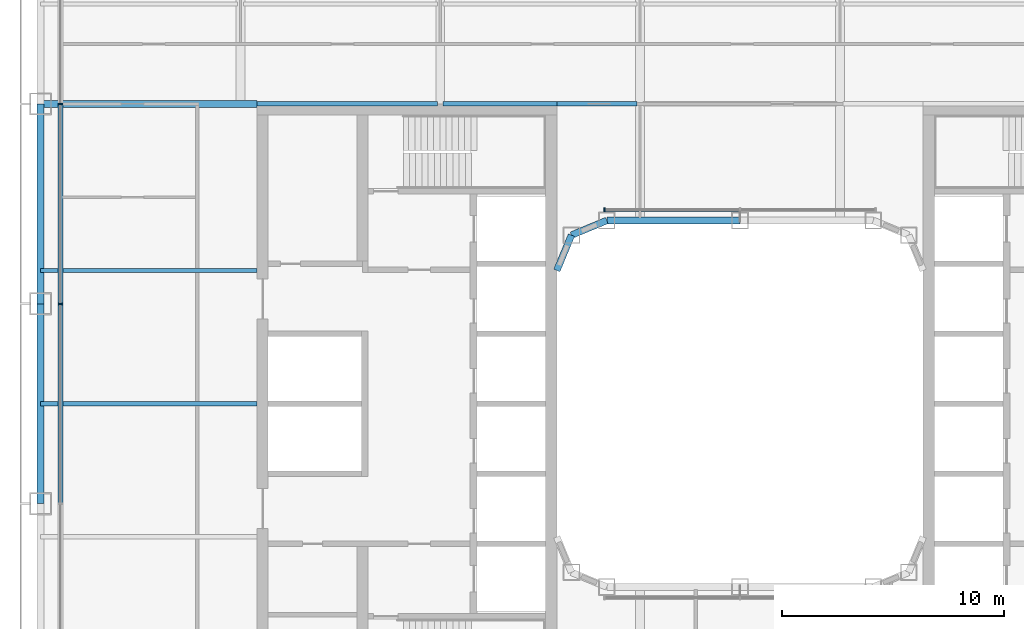
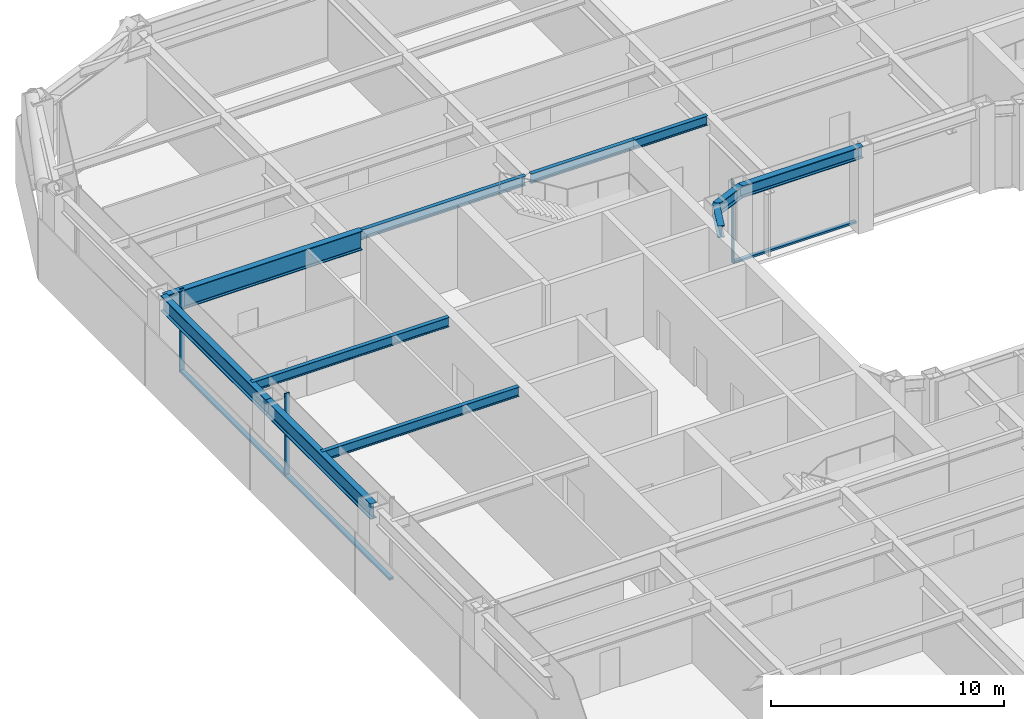
# One storey, part 6 of 24: 11 beams, 6 members, 2 elements without a shape of their own.
"""IFC4 building model written with IfcOpenShell, lengths in metres."""

from ifc_helpers import new_model, si_unit, direction, frame, origin, origin_2d, place, context, subcontext, project, spatial, rectangle, i_section, extrude, material, layer, layer_set, material_profile, profile_set, type_object, element, aggregate, save


model = new_model("IFC4")

# Units and contexts
model_context = context("Model", 3, precision=1e-05, world=origin(), true_north=direction((0.0, 1.0)))
body_context = subcontext(model_context, "Body", "Model", "MODEL_VIEW")
ifc_project = project(units=[si_unit("LENGTHUNIT", "METRE"), si_unit("AREAUNIT", "SQUARE_METRE"), si_unit("VOLUMEUNIT", "CUBIC_METRE"), si_unit("PLANEANGLEUNIT", "RADIAN"), si_unit("MASSUNIT", "GRAM", prefix="KILO")], contexts=[model_context])

# Site, building, storey
site_placement = place(None, origin())
site = spatial("IfcSite", under=ifc_project, at=site_placement, CompositionType="ELEMENT")
building_placement = place(site_placement, origin())
building = spatial("IfcBuilding", under=site, at=building_placement, Name="Siwar Civic Tower", CompositionType="ELEMENT")
storey_placement = place(building_placement, frame((0.0, 0.0, 76.199951171875)))
storey = spatial("IfcBuildingStorey", under=building, at=storey_placement, Name="L16", CompositionType="ELEMENT", Elevation=76.199951171875)

# Curtain wall, members
ifc_material_1 = material(Name="Aluminium and glass", Category="aluminium")
ifc_layer_1 = layer(ifc_material_1, 0.219970703125)
ifc_layer_set_1 = layer_set([ifc_layer_1], Name="Aluminium and glass")
curtain_wall_type_1 = type_object("IfcCurtainWallType", Name="ENV-CW-A", PredefinedType="NOTDEFINED", material=ifc_layer_set_1)
curtain_wall_1_placement = place(storey_placement, origin())
curtain_wall_1 = element("IfcCurtainWall", 1, at=curtain_wall_1_placement, inside=storey, type_object=curtain_wall_type_1, Name="Curtain wall A W", PredefinedType="NOTDEFINED")
ifc_material_2 = material(Name="Aluminium 6063-T6", Category="aluminium")
ifc_material_profile_1 = material_profile(ifc_material_2, rectangle(XDim=0.219970703125, YDim=0.070068359375, at=origin_2d()), Name="AL 220x70")
ifc_profile_set_1 = profile_set([ifc_material_profile_1], Name="Aluminium 6063-T6")
member_type_1 = type_object("IfcMemberType", Name="ENV-MULLION-A", PredefinedType="MULLION", material=ifc_profile_set_1)
member_1_placement = place(storey_placement, frame((-30.60009765625, 13.5, 0.0), z_axis=(0.0, 0.0, 1.0), x_axis=(1.0, 0.0, 0.0)))
member_1 = element("IfcMember", 2, at=member_1_placement, type_object=member_type_1, Name="Mullion A W 2", PredefinedType="MULLION", context=body_context, shape_type="SweptSolid", body=[
    extrude(rectangle(XDim=0.219970703125, YDim=0.070068359375, at=origin_2d()), origin(), (0.0, 0.0, 1.0), 4.35009765625),
])
member_2_placement = place(storey_placement, frame((-30.60009765625, 4.5, 0.0), z_axis=(0.0, 0.0, 1.0), x_axis=(1.0, 0.0, 0.0)))
member_2 = element("IfcMember", 3, at=member_2_placement, type_object=member_type_1, Name="Mullion A W 3", PredefinedType="MULLION", context=body_context, shape_type="SweptSolid", body=[
    extrude(rectangle(XDim=0.219970703125, YDim=0.070068359375, at=origin_2d()), origin(), (0.0, 0.0, 1.0), 4.35009765625),
])

# Curtain wall, member
ifc_material_3 = material(Name="Aluminium and glass", Category="aluminium")
ifc_layer_2 = layer(ifc_material_3, 0.179931640625)
ifc_layer_set_2 = layer_set([ifc_layer_2], Name="Aluminium and glass")
curtain_wall_type_2 = type_object("IfcCurtainWallType", Name="ENV-CW-W", PredefinedType="NOTDEFINED", material=ifc_layer_set_2)
curtain_wall_2_placement = place(storey_placement, origin())
curtain_wall_2 = element("IfcCurtainWall", 4, at=curtain_wall_2_placement, inside=storey, type_object=curtain_wall_type_2, Name="Curtain wall W WN", PredefinedType="NOTDEFINED")
ifc_material_4 = material(Name="Aluminium 6063-T6", Category="aluminium")
ifc_material_profile_2 = material_profile(ifc_material_4, rectangle(XDim=0.179931640625, YDim=0.06005859375, at=origin_2d()), Name="AL 180x60")
ifc_profile_set_2 = profile_set([ifc_material_profile_2], Name="Aluminium 6063-T6")
member_type_2 = type_object("IfcMemberType", Name="ENV-MULLION-W", PredefinedType="MULLION", material=ifc_profile_set_2)
member_3_placement = place(storey_placement, frame((-6.096435546875, 8.735107421875, 0.0), z_axis=(0.0, 0.0, 1.0), x_axis=(0.0, -1.0, 0.0)))
member_3 = element("IfcMember", 5, at=member_3_placement, type_object=member_type_2, Name="Mullion W WN 3", PredefinedType="MULLION", context=body_context, shape_type="SweptSolid", body=[
    extrude(rectangle(XDim=0.179931640625, YDim=0.06005859375, at=origin_2d()), origin(), (0.0, 0.0, 1.0), 4.35009765625),
])

# Member
ifc_material_5 = material(Name="Aluminium 6063-T6", Category="aluminium")
ifc_material_profile_3 = material_profile(ifc_material_5, rectangle(XDim=0.219970703125, YDim=0.1201171875, at=origin_2d()), Name="AL 220x120")
ifc_profile_set_3 = profile_set([ifc_material_profile_3], Name="Aluminium 6063-T6")
member_type_3 = type_object("IfcMemberType", Name="ENV-TRANSOM-A", PredefinedType="USERDEFINED", material=ifc_profile_set_3)
member_4_placement = place(storey_placement, frame((-30.60009765625, 13.465087890625, 0.06005859375), z_axis=(0.0, -1.0, 0.0), x_axis=(1.0, 0.0, 0.0)))
member_4 = element("IfcMember", 6, at=member_4_placement, type_object=member_type_3, Name="Transom A W 2", ObjectType="TRANSOM", PredefinedType="USERDEFINED", context=body_context, shape_type="SweptSolid", body=[
    extrude(rectangle(XDim=0.219970703125, YDim=0.1201171875, at=origin_2d()), origin(), (0.0, 0.0, 1.0), 8.93017578125),
])

member_5_placement = place(storey_placement, frame((-30.60009765625, 4.465087890625, 0.06005859375), z_axis=(0.0, -1.0, 0.0), x_axis=(1.0, 0.0, 0.0)))
member_5 = element("IfcMember", 7, at=member_5_placement, type_object=member_type_3, Name="Transom A W 3", ObjectType="TRANSOM", PredefinedType="USERDEFINED", context=body_context, shape_type="SweptSolid", body=[
    extrude(rectangle(XDim=0.219970703125, YDim=0.1201171875, at=origin_2d()), origin(), (0.0, 0.0, 1.0), 8.93017578125),
])

aggregate(curtain_wall_1, [member_1, member_2, member_4, member_5])

ifc_material_6 = material(Name="Aluminium 6063-T6", Category="aluminium")
ifc_material_profile_4 = material_profile(ifc_material_6, rectangle(XDim=0.179931640625, YDim=0.10009765625, at=origin_2d()), Name="AL 180x100")
ifc_profile_set_4 = profile_set([ifc_material_profile_4], Name="Aluminium 6063-T6")
member_type_4 = type_object("IfcMemberType", Name="ENV-TRANSOM-W", PredefinedType="USERDEFINED", material=ifc_profile_set_4)
member_6_placement = place(storey_placement, frame((-0.030029296875, 8.735107421875, 0.050048828125), z_axis=(-1.0, 0.0, 0.0), x_axis=(0.0, -1.0, 0.0)))
member_6 = element("IfcMember", 8, at=member_6_placement, type_object=member_type_4, Name="Transom W WN 2", ObjectType="TRANSOM", PredefinedType="USERDEFINED", context=body_context, shape_type="SweptSolid", body=[
    extrude(rectangle(XDim=0.179931640625, YDim=0.10009765625, at=origin_2d()), origin(), (0.0, 0.0, 1.0), 6.036376953125),
])

aggregate(curtain_wall_2, [member_3, member_6])

# Beams
ifc_material_7 = material(Name="Steel S355", Category="steel")
ifc_material_profile_5 = material_profile(ifc_material_7, i_section(OverallWidth=0.199951171875, OverallDepth=0.5, WebThickness=0.01025390625, FlangeThickness=0.01611328125, FilletRadius=0.02099609375, at=origin_2d()), Name="IPE500")
ifc_profile_set_5 = profile_set([ifc_material_profile_5], Name="Steel S355")
beam_type_1 = type_object("IfcBeamType", Name="STR-FB-IPE500", PredefinedType="JOIST", material=ifc_profile_set_5)
for number, where, z_axis, x_axis, name in (
    (9, (-31.5, 0.0, 4.10009765625), (1.0, 0.0, 0.0), (0.0, 1.0, 0.0), "L16/bm/F033"),
    (10, (-31.5, 6.0, 4.10009765625), (1.0, 0.0, 0.0), (0.0, 1.0, 0.0), "L16/bm/F035"),
):
    element("IfcBeam", number, at=place(storey_placement, frame(where, z_axis=z_axis, x_axis=x_axis)), inside=storey, type_object=beam_type_1, Name=name, PredefinedType="JOIST", context=body_context, shape_type="SweptSolid", body=[
        extrude(i_section(OverallWidth=0.199951171875, OverallDepth=0.5, WebThickness=0.01025390625, FlangeThickness=0.01611328125, FilletRadius=0.02099609375, at=origin_2d()), origin(), (0.0, 0.0, 1.0), 9.75),
    ])
beam_1_placement = place(storey_placement, frame((-21.75, 13.5, 4.10009765625), z_axis=(1.0, 0.0, 0.0), x_axis=(0.0, 1.0, 0.0)))
element("IfcBeam", 11, at=beam_1_placement, inside=storey, type_object=beam_type_1, Name="L16/bm/F038", PredefinedType="JOIST", context=body_context, shape_type="SweptSolid", body=[
    extrude(i_section(OverallWidth=0.199951171875, OverallDepth=0.5, WebThickness=0.01025390625, FlangeThickness=0.01611328125, FilletRadius=0.02099609375, at=origin_2d()), origin(), (0.0, 0.0, 1.0), 8.1201171875),
])
beam_2_placement = place(storey_placement, frame((-13.3701171875, 13.5, 4.10009765625), z_axis=(1.0, 0.0, 0.0), x_axis=(0.0, 1.0, 0.0)))
element("IfcBeam", 12, at=beam_2_placement, inside=storey, type_object=beam_type_1, Name="L16/bm/F039", PredefinedType="JOIST", context=body_context, shape_type="SweptSolid", body=[
    extrude(i_section(OverallWidth=0.199951171875, OverallDepth=0.5, WebThickness=0.01025390625, FlangeThickness=0.01611328125, FilletRadius=0.02099609375, at=origin_2d()), origin(), (0.0, 0.0, 1.0), 5.1201171875),
])
beam_3_placement = place(storey_placement, frame((-8.25, 13.5, 4.10009765625), z_axis=(1.0, 0.0, 0.0), x_axis=(0.0, 1.0, 0.0)))
element("IfcBeam", 13, at=beam_3_placement, inside=storey, type_object=beam_type_1, Name="L16/bm/F040", PredefinedType="JOIST", context=body_context, shape_type="SweptSolid", body=[
    extrude(i_section(OverallWidth=0.199951171875, OverallDepth=0.5, WebThickness=0.01025390625, FlangeThickness=0.01611328125, FilletRadius=0.02099609375, at=origin_2d()), origin(), (0.0, 0.0, 1.0), 3.6201171875),
])
ifc_material_8 = material(Name="Steel S355", Category="steel")
ifc_material_profile_6 = material_profile(ifc_material_8, i_section(OverallWidth=0.300048828125, OverallDepth=1.0, WebThickness=0.01904296875, FlangeThickness=0.035888671875, FilletRadius=0.030029296875, at=origin_2d()), Name="HEB1000")
ifc_profile_set_6 = profile_set([ifc_material_profile_6], Name="Steel S355")
beam_type_2 = type_object("IfcBeamType", Name="STR-PG-HEB1000", PredefinedType="BEAM", material=ifc_profile_set_6)
beam_4_placement = place(storey_placement, frame((-31.5, 13.5, 3.85009765625), z_axis=(1.0, 0.0, 0.0), x_axis=(0.0, 1.0, 0.0)))
element("IfcBeam", 14, at=beam_4_placement, inside=storey, type_object=beam_type_2, Name="L16/bm/F037", PredefinedType="BEAM", context=body_context, shape_type="SweptSolid", body=[
    extrude(i_section(OverallWidth=0.300048828125, OverallDepth=1.0, WebThickness=0.01904296875, FlangeThickness=0.035888671875, FilletRadius=0.030029296875, at=origin_2d()), origin(), (0.0, 0.0, 1.0), 9.75),
])
ifc_material_9 = material(Name="Steel S355", Category="steel")
ifc_material_profile_7 = material_profile(ifc_material_9, i_section(OverallWidth=0.304931640625, OverallDepth=0.6201171875, WebThickness=0.02099609375, FlangeThickness=0.0400390625, FilletRadius=0.027099609375, at=origin_2d()), Name="HEM600")
ifc_profile_set_7 = profile_set([ifc_material_profile_7], Name="Steel S355")
beam_type_3 = type_object("IfcBeamType", Name="STR-RB-HEM600", PredefinedType="BEAM", material=ifc_profile_set_7)
beam_5_placement = place(storey_placement, frame((-7.591064453125, 7.591064453125, 4.0400390625), z_axis=(0.923901072997, 0.382631424892, 0.0), x_axis=(-0.382631424892, 0.923901072997, 0.0)))
element("IfcBeam", 15, at=beam_5_placement, inside=storey, type_object=beam_type_3, Name="L16/bm/RN0", PredefinedType="BEAM", context=body_context, shape_type="SweptSolid", body=[
    extrude(i_section(OverallWidth=0.304931640625, OverallDepth=0.6201171875, WebThickness=0.02099609375, FlangeThickness=0.0400390625, FilletRadius=0.027099609375, at=origin_2d()), origin(), (0.0, 0.0, 1.0), 1.72216796875),
])
beam_6_placement = place(storey_placement, frame((-6.0, 8.25, 4.0400390625), z_axis=(1.0, 0.0, 0.0), x_axis=(0.0, 1.0, 0.0)))
element("IfcBeam", 16, at=beam_6_placement, inside=storey, type_object=beam_type_3, Name="L16/bm/RN1", PredefinedType="BEAM", context=body_context, shape_type="SweptSolid", body=[
    extrude(i_section(OverallWidth=0.304931640625, OverallDepth=0.6201171875, WebThickness=0.02099609375, FlangeThickness=0.0400390625, FilletRadius=0.027099609375, at=origin_2d()), origin(), (0.0, 0.0, 1.0), 6.0),
])
beam_7_placement = place(storey_placement, frame((-7.591064453125, 7.591064453125, 4.0400390625), z_axis=(-0.382631424892, -0.923901072997, 0.0), x_axis=(0.923901072997, -0.382631424892, 0.0)))
element("IfcBeam", 17, at=beam_7_placement, inside=storey, type_object=beam_type_3, Name="L16/bm/RNEW", PredefinedType="BEAM", context=body_context, shape_type="SweptSolid", body=[
    extrude(i_section(OverallWidth=0.304931640625, OverallDepth=0.6201171875, WebThickness=0.02099609375, FlangeThickness=0.0400390625, FilletRadius=0.027099609375, at=origin_2d()), origin(), (0.0, 0.0, 1.0), 1.72216796875),
])
ifc_material_10 = material(Name="Steel S355", Category="steel")
ifc_material_profile_8 = material_profile(ifc_material_10, i_section(OverallWidth=0.302978515625, OverallDepth=0.81396484375, WebThickness=0.02099609375, FlangeThickness=0.0400390625, FilletRadius=0.030029296875, at=origin_2d()), Name="HEM800")
ifc_profile_set_8 = profile_set([ifc_material_profile_8], Name="Steel S355")
beam_type_4 = type_object("IfcBeamType", Name="STR-SB-HEM800", PredefinedType="BEAM", material=ifc_profile_set_8)
for number, where, z_axis, x_axis, name in (
    (18, (-31.5, 13.5, 3.943115234375), (0.0, -1.0, 0.0), (1.0, 0.0, 0.0), "L16/bm/SW-1"),
    (19, (-31.5, 4.5, 3.943115234375), (0.0, -1.0, 0.0), (1.0, 0.0, 0.0), "L16/bm/SW-2"),
):
    element("IfcBeam", number, at=place(storey_placement, frame(where, z_axis=z_axis, x_axis=x_axis)), inside=storey, type_object=beam_type_4, Name=name, PredefinedType="BEAM", context=body_context, shape_type="SweptSolid", body=[
        extrude(i_section(OverallWidth=0.302978515625, OverallDepth=0.81396484375, WebThickness=0.02099609375, FlangeThickness=0.0400390625, FilletRadius=0.030029296875, at=origin_2d()), origin(), (0.0, 0.0, 1.0), 9.0),
    ])

save(model, "model.ifc")
